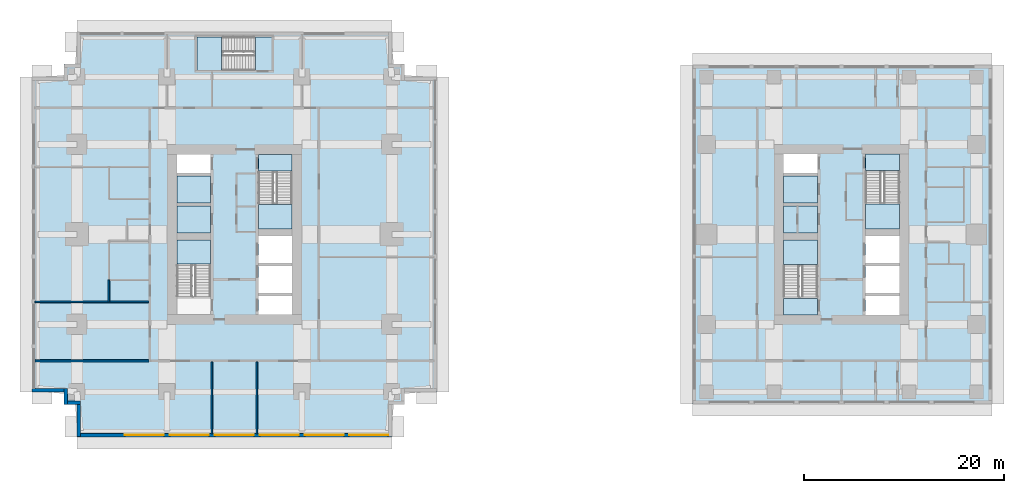
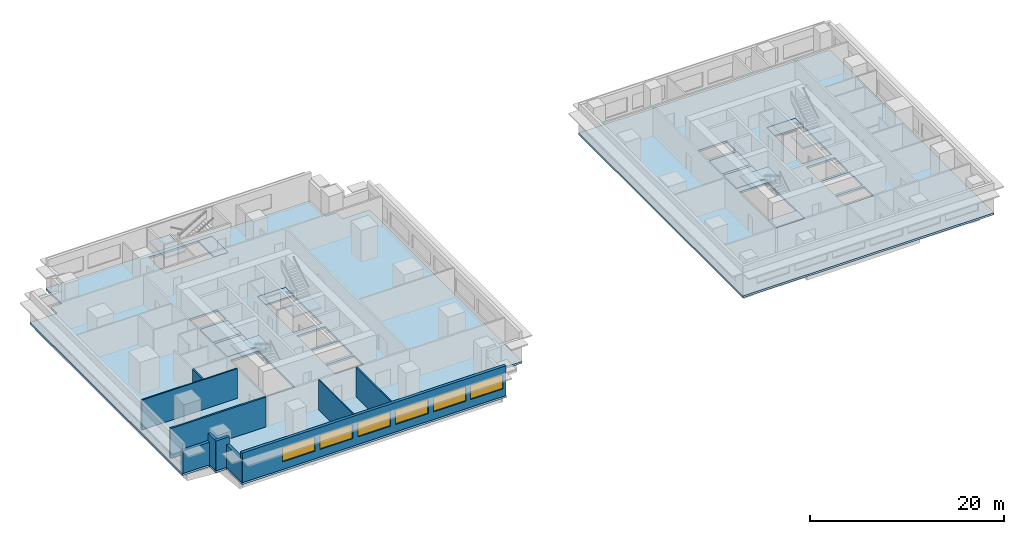
# One storey, part 2 of 11: 15 slabs, 10 walls, 6 windows, 6 openings, 5 elements without a shape of their own.
"""IFC4 building model written with IfcOpenShell, lengths in metres."""

from ifc_helpers import new_model, si_unit, direction, frame, frame_2d, origin, place, context, subcontext, project, spatial, polyline, rectangle, outline, extrude, material, layer, layer_set, type_object, element, fill, aggregate, save


model = new_model("IFC4")

# Units and contexts
model_context = context("Model", 3, precision=1e-05, world=origin(), true_north=direction((0.0, 1.0)))
body_context = subcontext(model_context, "Body", "Model", "MODEL_VIEW")
ifc_project = project(units=[si_unit("LENGTHUNIT", "METRE"), si_unit("AREAUNIT", "SQUARE_METRE"), si_unit("VOLUMEUNIT", "CUBIC_METRE"), si_unit("PLANEANGLEUNIT", "RADIAN"), si_unit("MASSUNIT", "GRAM", prefix="KILO")], contexts=[model_context])

# Site, building, storey
site_placement = place(None, origin())
site = spatial("IfcSite", under=ifc_project, at=site_placement, CompositionType="ELEMENT")
building_placement = place(site_placement, origin())
building = spatial("IfcBuilding", under=site, at=building_placement, Name="Namib Vertical Campus", CompositionType="ELEMENT")
storey_placement = place(building_placement, frame((0.0, 0.0, 193.0)))
storey = spatial("IfcBuildingStorey", under=building, at=storey_placement, Name="L45", CompositionType="ELEMENT", Elevation=193.0)

# Slabs
ifc_material_1 = material(Name="Concrete C40/50", Category="concrete")
ifc_layer_1 = layer(ifc_material_1, 0.25)
ifc_layer_set_1 = layer_set([ifc_layer_1], Name="Concrete C40/50")
slab_type_1 = type_object("IfcSlabType", Name="Floor slab 250", PredefinedType="FLOOR", material=ifc_layer_set_1)
slab_1_placement = place(storey_placement, frame((0.0, 0.0, -0.25)))
element("IfcSlab", 1, at=slab_1_placement, inside=storey, type_object=slab_type_1, Name="Floor slab A L45", PredefinedType="FLOOR", context=body_context, shape_type="SweptSolid", body=[
    extrude(outline(polyline([(4.5, 0.0), (36.0, 0.0), (36.0, 3.22509765625), (37.27490234375, 3.22509765625), (37.27490234375, 4.5), (40.5, 4.5), (40.5, 36.0), (37.27490234375, 36.0), (37.27490234375, 37.27490234375), (36.0, 37.27490234375), (36.0, 40.5), (4.5, 40.5), (4.5, 37.27490234375), (3.22509765625, 37.27490234375), (3.22509765625, 36.0), (0.0, 36.0), (0.0, 4.5), (3.22509765625, 4.5), (3.22509765625, 3.22509765625), (4.5, 3.22509765625), (4.5, 0.0)]), holes=[polyline([(14.5, 12.25), (17.85009765625, 12.25), (17.85009765625, 19.699951171875), (14.5, 19.699951171875), (14.5, 12.25)]), polyline([(22.64990234375, 20.800048828125), (26.0, 20.800048828125), (26.0, 28.25), (22.64990234375, 28.25), (22.64990234375, 20.800048828125)]), polyline([(22.64990234375, 12.25), (26.0, 12.25), (26.0, 14.10009765625), (22.64990234375, 14.10009765625), (22.64990234375, 12.25)]), polyline([(14.5, 20.39990234375), (17.85009765625, 20.39990234375), (17.85009765625, 23.10009765625), (14.5, 23.10009765625), (14.5, 20.39990234375)]), polyline([(14.5, 23.39990234375), (17.85009765625, 23.39990234375), (17.85009765625, 26.10009765625), (14.5, 26.10009765625), (14.5, 23.39990234375)]), polyline([(14.5, 26.39990234375), (17.85009765625, 26.39990234375), (17.85009765625, 28.25), (14.5, 28.25), (14.5, 26.39990234375)]), polyline([(22.64990234375, 14.39990234375), (26.0, 14.39990234375), (26.0, 17.10009765625), (22.64990234375, 17.10009765625), (22.64990234375, 14.39990234375)]), polyline([(22.64990234375, 17.39990234375), (26.0, 17.39990234375), (26.0, 20.10009765625), (22.64990234375, 20.10009765625), (22.64990234375, 17.39990234375)]), polyline([(16.5, 36.64990234375), (24.0, 36.64990234375), (24.0, 40.0), (16.5, 40.0), (16.5, 36.64990234375)])]), origin(), (0.0, 0.0, 1.0), 0.25),
])
slab_2_placement = place(storey_placement, frame((0.0, 0.0, -0.25)))
element("IfcSlab", 2, at=slab_2_placement, inside=storey, type_object=slab_type_1, Name="Floor slab B L45", PredefinedType="FLOOR", context=body_context, shape_type="SweptSolid", body=[
    extrude(outline(polyline([(66.10009765625, 3.300048828125), (96.050048828125, 3.300048828125), (96.050048828125, 37.199951171875), (66.10009765625, 37.199951171875), (66.10009765625, 3.300048828125)]), holes=[polyline([(75.199951171875, 12.199951171875), (78.60009765625, 12.199951171875), (78.60009765625, 19.699951171875), (75.199951171875, 19.699951171875), (75.199951171875, 12.199951171875)]), polyline([(83.39990234375, 20.800048828125), (86.800048828125, 20.800048828125), (86.800048828125, 28.300048828125), (83.39990234375, 28.300048828125), (83.39990234375, 20.800048828125)]), polyline([(83.39990234375, 12.199951171875), (86.800048828125, 12.199951171875), (86.800048828125, 14.10009765625), (83.39990234375, 14.10009765625), (83.39990234375, 12.199951171875)]), polyline([(75.199951171875, 20.39990234375), (78.60009765625, 20.39990234375), (78.60009765625, 23.10009765625), (75.199951171875, 23.10009765625), (75.199951171875, 20.39990234375)]), polyline([(75.199951171875, 23.39990234375), (78.60009765625, 23.39990234375), (78.60009765625, 26.10009765625), (75.199951171875, 26.10009765625), (75.199951171875, 23.39990234375)]), polyline([(75.199951171875, 26.39990234375), (78.60009765625, 26.39990234375), (78.60009765625, 28.300048828125), (75.199951171875, 28.300048828125), (75.199951171875, 26.39990234375)]), polyline([(83.39990234375, 14.39990234375), (86.800048828125, 14.39990234375), (86.800048828125, 17.10009765625), (83.39990234375, 17.10009765625), (83.39990234375, 14.39990234375)]), polyline([(83.39990234375, 17.39990234375), (86.800048828125, 17.39990234375), (86.800048828125, 20.10009765625), (83.39990234375, 20.10009765625), (83.39990234375, 17.39990234375)])]), origin(), (0.0, 0.0, 1.0), 0.25),
])
ifc_material_2 = material(Name="Concrete C40/50 precast", Category="concrete")
ifc_layer_2 = layer(ifc_material_2, 0.25)
ifc_layer_set_2 = layer_set([ifc_layer_2], Name="Concrete C40/50 precast")
slab_type_2 = type_object("IfcSlabType", Name="Shaft infill floor 250", PredefinedType="FLOOR", material=ifc_layer_set_2)
slab_3_placement = place(storey_placement, frame((0.0, 0.0, -0.25)))
element("IfcSlab", 3, at=slab_3_placement, inside=storey, type_object=slab_type_2, Name="Shaft infill floor A L45 P1", PredefinedType="FLOOR", context=body_context, shape_type="SweptSolid", body=[
    extrude(outline(polyline([(14.5, 20.39990234375), (17.85009765625, 20.39990234375), (17.85009765625, 23.10009765625), (14.5, 23.10009765625), (14.5, 20.39990234375)])), origin(), (0.0, 0.0, 1.0), 0.25),
])
slab_4_placement = place(storey_placement, frame((0.0, 0.0, -0.25)))
element("IfcSlab", 4, at=slab_4_placement, inside=storey, type_object=slab_type_2, Name="Shaft infill floor A L45 P2", PredefinedType="FLOOR", context=body_context, shape_type="SweptSolid", body=[
    extrude(outline(polyline([(14.5, 23.39990234375), (17.85009765625, 23.39990234375), (17.85009765625, 26.10009765625), (14.5, 26.10009765625), (14.5, 23.39990234375)])), origin(), (0.0, 0.0, 1.0), 0.25),
])
slab_5_placement = place(storey_placement, frame((0.0, 0.0, -0.25)))
element("IfcSlab", 5, at=slab_5_placement, inside=storey, type_object=slab_type_2, Name="Shaft infill floor B L45 P1", PredefinedType="FLOOR", context=body_context, shape_type="SweptSolid", body=[
    extrude(outline(polyline([(75.199951171875, 20.39990234375), (78.60009765625, 20.39990234375), (78.60009765625, 23.10009765625), (75.199951171875, 23.10009765625), (75.199951171875, 20.39990234375)])), origin(), (0.0, 0.0, 1.0), 0.25),
])
slab_6_placement = place(storey_placement, frame((0.0, 0.0, -0.25)))
element("IfcSlab", 6, at=slab_6_placement, inside=storey, type_object=slab_type_2, Name="Shaft infill floor B L45 P2", PredefinedType="FLOOR", context=body_context, shape_type="SweptSolid", body=[
    extrude(outline(polyline([(75.199951171875, 23.39990234375), (78.60009765625, 23.39990234375), (78.60009765625, 26.10009765625), (75.199951171875, 26.10009765625), (75.199951171875, 23.39990234375)])), origin(), (0.0, 0.0, 1.0), 0.25),
])

# Stair, slab
ifc_material_3 = material(Name="Concrete C40/50 precast", Category="concrete")
stair_type_1 = type_object("IfcStairType", Name="Exit stair 4000 rise 24 risers 3350 wide", PredefinedType="HALF_TURN_STAIR", material=ifc_material_3)
stair_1_placement = place(storey_placement, origin())
stair_1 = element("IfcStair", 7, at=stair_1_placement, inside=storey, type_object=stair_type_1, Name="Exit stair A-S1 L45", PredefinedType="HALF_TURN_STAIR")
ifc_material_4 = material(Name="Concrete C40/50", Category="concrete")
ifc_layer_3 = layer(ifc_material_4, 0.199951171875)
ifc_layer_set_3 = layer_set([ifc_layer_3], Name="Concrete C40/50")
slab_type_3 = type_object("IfcSlabType", Name="Stair landing 200", PredefinedType="LANDING", material=ifc_layer_set_3)
slab_7_placement = place(storey_placement, frame((0.0, 0.0, 1.800048828125)))
slab_7 = element("IfcSlab", 8, at=slab_7_placement, type_object=slab_type_3, Name="A-S1 landing 2", PredefinedType="LANDING", context=body_context, shape_type="SweptSolid", body=[
    extrude(outline(polyline([(14.5, 17.276123046875), (17.85009765625, 17.276123046875), (17.85009765625, 19.699951171875), (14.5, 19.699951171875), (14.5, 17.276123046875)])), origin(), (0.0, 0.0, 1.0), 0.199951171875),
])
aggregate(stair_1, [slab_7])

# Stair, slabs
stair_2_placement = place(storey_placement, origin())
stair_2 = element("IfcStair", 9, at=stair_2_placement, inside=storey, type_object=stair_type_1, Name="Exit stair A-S2 L45", PredefinedType="HALF_TURN_STAIR")
slab_8_placement = place(storey_placement, frame((0.0, 0.0, -0.199951171875)))
slab_8 = element("IfcSlab", 10, at=slab_8_placement, type_object=slab_type_3, Name="A-S2 landing 1", PredefinedType="LANDING", context=body_context, shape_type="SweptSolid", body=[
    extrude(outline(polyline([(22.64990234375, 26.59619140625), (26.0, 26.59619140625), (26.0, 28.25), (22.64990234375, 28.25), (22.64990234375, 26.59619140625)])), origin(), (0.0, 0.0, 1.0), 0.199951171875),
])
slab_9_placement = place(storey_placement, frame((0.0, 0.0, 1.800048828125)))
slab_9 = element("IfcSlab", 11, at=slab_9_placement, type_object=slab_type_3, Name="A-S2 landing 2", PredefinedType="LANDING", context=body_context, shape_type="SweptSolid", body=[
    extrude(outline(polyline([(22.64990234375, 20.800048828125), (26.0, 20.800048828125), (26.0, 23.223876953125), (22.64990234375, 23.223876953125), (22.64990234375, 20.800048828125)])), origin(), (0.0, 0.0, 1.0), 0.199951171875),
])
aggregate(stair_2, [slab_8, slab_9])

ifc_material_5 = material(Name="Concrete C40/50 precast", Category="concrete")
stair_type_2 = type_object("IfcStairType", Name="Exit stair 4000 rise 24 risers 3400 wide", PredefinedType="HALF_TURN_STAIR", material=ifc_material_5)
stair_3_placement = place(storey_placement, origin())
stair_3 = element("IfcStair", 12, at=stair_3_placement, inside=storey, type_object=stair_type_2, Name="Exit stair B-S1 L45", PredefinedType="HALF_TURN_STAIR")
slab_10_placement = place(storey_placement, frame((0.0, 0.0, -0.199951171875)))
slab_10 = element("IfcSlab", 13, at=slab_10_placement, type_object=slab_type_3, Name="B-S1 landing 1", PredefinedType="LANDING", context=body_context, shape_type="SweptSolid", body=[
    extrude(outline(polyline([(75.199951171875, 12.199951171875), (78.60009765625, 12.199951171875), (78.60009765625, 13.85400390625), (75.199951171875, 13.85400390625), (75.199951171875, 12.199951171875)])), origin(), (0.0, 0.0, 1.0), 0.199951171875),
])
slab_11_placement = place(storey_placement, frame((0.0, 0.0, 1.800048828125)))
slab_11 = element("IfcSlab", 14, at=slab_11_placement, type_object=slab_type_3, Name="B-S1 landing 2", PredefinedType="LANDING", context=body_context, shape_type="SweptSolid", body=[
    extrude(outline(polyline([(75.199951171875, 17.22607421875), (78.60009765625, 17.22607421875), (78.60009765625, 19.699951171875), (75.199951171875, 19.699951171875), (75.199951171875, 17.22607421875)])), origin(), (0.0, 0.0, 1.0), 0.199951171875),
])
aggregate(stair_3, [slab_10, slab_11])

stair_4_placement = place(storey_placement, origin())
stair_4 = element("IfcStair", 15, at=stair_4_placement, inside=storey, type_object=stair_type_2, Name="Exit stair B-S2 L45", PredefinedType="HALF_TURN_STAIR")
slab_12_placement = place(storey_placement, frame((0.0, 0.0, -0.199951171875)))
slab_12 = element("IfcSlab", 16, at=slab_12_placement, type_object=slab_type_3, Name="B-S2 landing 1", PredefinedType="LANDING", context=body_context, shape_type="SweptSolid", body=[
    extrude(outline(polyline([(83.39990234375, 26.64599609375), (86.800048828125, 26.64599609375), (86.800048828125, 28.300048828125), (83.39990234375, 28.300048828125), (83.39990234375, 26.64599609375)])), origin(), (0.0, 0.0, 1.0), 0.199951171875),
])
slab_13_placement = place(storey_placement, frame((0.0, 0.0, 1.800048828125)))
slab_13 = element("IfcSlab", 17, at=slab_13_placement, type_object=slab_type_3, Name="B-S2 landing 2", PredefinedType="LANDING", context=body_context, shape_type="SweptSolid", body=[
    extrude(outline(polyline([(83.39990234375, 20.800048828125), (86.800048828125, 20.800048828125), (86.800048828125, 23.27392578125), (83.39990234375, 23.27392578125), (83.39990234375, 20.800048828125)])), origin(), (0.0, 0.0, 1.0), 0.199951171875),
])
aggregate(stair_4, [slab_12, slab_13])

stair_5_placement = place(storey_placement, origin())
stair_5 = element("IfcStair", 18, at=stair_5_placement, inside=storey, type_object=stair_type_1, Name="Exit stair A-S3 L45", PredefinedType="HALF_TURN_STAIR")
slab_14_placement = place(storey_placement, frame((0.0, 0.0, -0.199951171875)))
slab_14 = element("IfcSlab", 19, at=slab_14_placement, type_object=slab_type_3, Name="A-S3 landing 1", PredefinedType="LANDING", context=body_context, shape_type="SweptSolid", body=[
    extrude(outline(polyline([(22.34619140625, 36.64990234375), (22.34619140625, 40.0), (24.0, 40.0), (24.0, 36.64990234375), (22.34619140625, 36.64990234375)])), origin(), (0.0, 0.0, 1.0), 0.199951171875),
])
slab_15_placement = place(storey_placement, frame((0.0, 0.0, 1.800048828125)))
slab_15 = element("IfcSlab", 20, at=slab_15_placement, type_object=slab_type_3, Name="A-S3 landing 2", PredefinedType="LANDING", context=body_context, shape_type="SweptSolid", body=[
    extrude(outline(polyline([(16.5, 36.64990234375), (16.5, 40.0), (18.973876953125, 40.0), (18.973876953125, 36.64990234375), (16.5, 36.64990234375)])), origin(), (0.0, 0.0, 1.0), 0.199951171875),
])
aggregate(stair_5, [slab_14, slab_15])

# Wall
ifc_material_6 = material(Name="Concrete masonry", Category="masonry")
ifc_layer_4 = layer(ifc_material_6, 0.199951171875)
ifc_layer_set_4 = layer_set([ifc_layer_4], Name="Corridor wall 200")
wall_type_1 = type_object("IfcWallType", Name="Corridor wall 200", PredefinedType="SOLIDWALL", material=ifc_layer_set_4)
wall_1_placement = place(storey_placement, frame((0.300048828125, 7.60009765625, 0.0), z_axis=(0.0, 0.0, 1.0), x_axis=(1.0, 0.0, 0.0)))
element("IfcWall", 21, at=wall_1_placement, inside=storey, type_object=wall_type_1, Name="Partition A L45 BSW", PredefinedType="SOLIDWALL", context=body_context, shape_type="SweptSolid", body=[
    extrude(rectangle(XDim=11.39990234375, YDim=0.199951171875, at=frame_2d((5.699951171875, 0.0))), origin(), (0.0, 0.0, 1.0), 3.75),
])

# Wall, openings, windows
ifc_material_7 = material(Name="Concrete C40/50", Category="concrete")
ifc_layer_5 = layer(ifc_material_7, 0.35009765625)
ifc_layer_set_5 = layer_set([ifc_layer_5], Name="Concrete C40/50")
wall_type_2 = type_object("IfcWallType", Name="External wall 350 bush-hammered concrete", PredefinedType="STANDARD", material=ifc_layer_set_5)
wall_2_placement = place(storey_placement, frame((4.52001953125, 0.175048828125, 0.0), z_axis=(0.0, 0.0, 1.0), x_axis=(1.0, 0.0, 0.0)))
wall_2 = element("IfcWall", 22, at=wall_2_placement, inside=storey, type_object=wall_type_2, Name="External wall L45 F01", PredefinedType="STANDARD", context=body_context, shape_type="SweptSolid", body=[
    extrude(rectangle(XDim=31.4599609375, YDim=0.35009765625, at=frame_2d((15.72998046875, 0.0))), origin(), (0.0, 0.0, 1.0), 3.75),
])
opening_1_placement = place(wall_2_placement, frame((4.780029296875, 0.0, 0.949951171875)))
opening_1 = element("IfcOpeningElement", 23, at=opening_1_placement, cuts=wall_2, Name="Opening W3", PredefinedType="OPENING", context=body_context, shape_type="SweptSolid", body=[
    extrude(rectangle(XDim=3.89990234375, YDim=1.800048828125, at=frame_2d((1.949951171875, 0.89990234375))), frame((0.0, 0.18505859375, 0.0), z_axis=(0.0, -1.0, 0.0), x_axis=(1.0, 0.0, 0.0)), (0.0, 0.0, 1.0), 0.3701171875),
])
opening_2_placement = place(wall_2_placement, frame((9.280029296875, 0.0, 0.949951171875)))
opening_2 = element("IfcOpeningElement", 24, at=opening_2_placement, cuts=wall_2, Name="Opening W3", PredefinedType="OPENING", context=body_context, shape_type="SweptSolid", body=[
    extrude(rectangle(XDim=3.89990234375, YDim=1.800048828125, at=frame_2d((1.949951171875, 0.89990234375))), frame((0.0, 0.18505859375, 0.0), z_axis=(0.0, -1.0, 0.0), x_axis=(1.0, 0.0, 0.0)), (0.0, 0.0, 1.0), 0.3701171875),
])
opening_3_placement = place(wall_2_placement, frame((13.780029296875, 0.0, 0.949951171875)))
opening_3 = element("IfcOpeningElement", 25, at=opening_3_placement, cuts=wall_2, Name="Opening W3", PredefinedType="OPENING", context=body_context, shape_type="SweptSolid", body=[
    extrude(rectangle(XDim=3.89990234375, YDim=1.800048828125, at=frame_2d((1.949951171875, 0.89990234375))), frame((0.0, 0.18505859375, 0.0), z_axis=(0.0, -1.0, 0.0), x_axis=(1.0, 0.0, 0.0)), (0.0, 0.0, 1.0), 0.3701171875),
])
opening_4_placement = place(wall_2_placement, frame((18.280029296875, 0.0, 0.949951171875)))
opening_4 = element("IfcOpeningElement", 26, at=opening_4_placement, cuts=wall_2, Name="Opening W3", PredefinedType="OPENING", context=body_context, shape_type="SweptSolid", body=[
    extrude(rectangle(XDim=3.89990234375, YDim=1.800048828125, at=frame_2d((1.949951171875, 0.89990234375))), frame((0.0, 0.18505859375, 0.0), z_axis=(0.0, -1.0, 0.0), x_axis=(1.0, 0.0, 0.0)), (0.0, 0.0, 1.0), 0.3701171875),
])
opening_5_placement = place(wall_2_placement, frame((22.780029296875, 0.0, 0.949951171875)))
opening_5 = element("IfcOpeningElement", 27, at=opening_5_placement, cuts=wall_2, Name="Opening W3", PredefinedType="OPENING", context=body_context, shape_type="SweptSolid", body=[
    extrude(rectangle(XDim=3.89990234375, YDim=1.800048828125, at=frame_2d((1.949951171875, 0.89990234375))), frame((0.0, 0.18505859375, 0.0), z_axis=(0.0, -1.0, 0.0), x_axis=(1.0, 0.0, 0.0)), (0.0, 0.0, 1.0), 0.3701171875),
])
opening_6_placement = place(wall_2_placement, frame((27.2099609375, 0.0, 0.949951171875)))
opening_6 = element("IfcOpeningElement", 28, at=opening_6_placement, cuts=wall_2, Name="Opening W3", PredefinedType="OPENING", context=body_context, shape_type="SweptSolid", body=[
    extrude(rectangle(XDim=3.89990234375, YDim=1.800048828125, at=frame_2d((1.949951171875, 0.89990234375))), frame((0.0, 0.18505859375, 0.0), z_axis=(0.0, -1.0, 0.0), x_axis=(1.0, 0.0, 0.0)), (0.0, 0.0, 1.0), 0.3701171875),
])
ifc_material_8 = material(Name="Dark tinted glass in black aluminium frame", Category="aluminium")
window_type = type_object("IfcWindowType", Name="Ribbon window 3900x1800", PartitioningType="SINGLE_PANEL", PredefinedType="WINDOW", material=ifc_material_8)
window_1_placement = place(opening_1_placement, origin())
window_1 = element("IfcWindow", 29, at=window_1_placement, inside=storey, type_object=window_type, Name="Window W3 L45 F01-2", OverallHeight=1.800048828125, OverallWidth=3.89990234375, PartitioningType="SINGLE_PANEL", PredefinedType="WINDOW", context=body_context, shape_type="SweptSolid", body=[
    extrude(rectangle(XDim=3.89990234375, YDim=1.800048828125, at=frame_2d((1.949951171875, 0.89990234375))), frame((0.0, 0.030029296875, 0.0), z_axis=(0.0, -1.0, 0.0), x_axis=(1.0, 0.0, 0.0)), (0.0, 0.0, 1.0), 0.06005859375),
])
fill(opening_1, window_1)
window_2_placement = place(opening_2_placement, origin())
window_2 = element("IfcWindow", 30, at=window_2_placement, inside=storey, type_object=window_type, Name="Window W3 L45 F01-3", OverallHeight=1.800048828125, OverallWidth=3.89990234375, PartitioningType="SINGLE_PANEL", PredefinedType="WINDOW", context=body_context, shape_type="SweptSolid", body=[
    extrude(rectangle(XDim=3.89990234375, YDim=1.800048828125, at=frame_2d((1.949951171875, 0.89990234375))), frame((0.0, 0.030029296875, 0.0), z_axis=(0.0, -1.0, 0.0), x_axis=(1.0, 0.0, 0.0)), (0.0, 0.0, 1.0), 0.06005859375),
])
fill(opening_2, window_2)
window_3_placement = place(opening_3_placement, origin())
window_3 = element("IfcWindow", 31, at=window_3_placement, inside=storey, type_object=window_type, Name="Window W3 L45 F01-4", OverallHeight=1.800048828125, OverallWidth=3.89990234375, PartitioningType="SINGLE_PANEL", PredefinedType="WINDOW", context=body_context, shape_type="SweptSolid", body=[
    extrude(rectangle(XDim=3.89990234375, YDim=1.800048828125, at=frame_2d((1.949951171875, 0.89990234375))), frame((0.0, 0.030029296875, 0.0), z_axis=(0.0, -1.0, 0.0), x_axis=(1.0, 0.0, 0.0)), (0.0, 0.0, 1.0), 0.06005859375),
])
fill(opening_3, window_3)
window_4_placement = place(opening_4_placement, origin())
window_4 = element("IfcWindow", 32, at=window_4_placement, inside=storey, type_object=window_type, Name="Window W3 L45 F01-5", OverallHeight=1.800048828125, OverallWidth=3.89990234375, PartitioningType="SINGLE_PANEL", PredefinedType="WINDOW", context=body_context, shape_type="SweptSolid", body=[
    extrude(rectangle(XDim=3.89990234375, YDim=1.800048828125, at=frame_2d((1.949951171875, 0.89990234375))), frame((0.0, 0.030029296875, 0.0), z_axis=(0.0, -1.0, 0.0), x_axis=(1.0, 0.0, 0.0)), (0.0, 0.0, 1.0), 0.06005859375),
])
fill(opening_4, window_4)
window_5_placement = place(opening_5_placement, origin())
window_5 = element("IfcWindow", 33, at=window_5_placement, inside=storey, type_object=window_type, Name="Window W3 L45 F01-6", OverallHeight=1.800048828125, OverallWidth=3.89990234375, PartitioningType="SINGLE_PANEL", PredefinedType="WINDOW", context=body_context, shape_type="SweptSolid", body=[
    extrude(rectangle(XDim=3.89990234375, YDim=1.800048828125, at=frame_2d((1.949951171875, 0.89990234375))), frame((0.0, 0.030029296875, 0.0), z_axis=(0.0, -1.0, 0.0), x_axis=(1.0, 0.0, 0.0)), (0.0, 0.0, 1.0), 0.06005859375),
])
fill(opening_5, window_5)
window_6_placement = place(opening_6_placement, origin())
window_6 = element("IfcWindow", 34, at=window_6_placement, inside=storey, type_object=window_type, Name="Window W3 L45 F01-7", OverallHeight=1.800048828125, OverallWidth=3.89990234375, PartitioningType="SINGLE_PANEL", PredefinedType="WINDOW", context=body_context, shape_type="SweptSolid", body=[
    extrude(rectangle(XDim=3.89990234375, YDim=1.800048828125, at=frame_2d((1.949951171875, 0.89990234375))), frame((0.0, 0.030029296875, 0.0), z_axis=(0.0, -1.0, 0.0), x_axis=(1.0, 0.0, 0.0)), (0.0, 0.0, 1.0), 0.06005859375),
])
fill(opening_6, window_6)

# Walls
wall_3_placement = place(storey_placement, frame((0.02001953125, 4.675048828125, 0.0), z_axis=(0.0, 0.0, 1.0), x_axis=(1.0, 0.0, 0.0)))
element("IfcWall", 35, at=wall_3_placement, inside=storey, type_object=wall_type_2, Name="External wall L45 F17", PredefinedType="STANDARD", context=body_context, shape_type="SweptSolid", body=[
    extrude(rectangle(XDim=3.534912109375, YDim=0.35009765625, at=frame_2d((1.767578125, 0.0))), origin(), (0.0, 0.0, 1.0), 2.85009765625),
])
for number, where, z_axis, x_axis, name in (
    (36, (3.39990234375, 4.830078125, 0.0), (0.0, 0.0, 1.0), (0.0, -1.0, 0.0), "External wall L45 F18"),
    (37, (3.2451171875, 3.39990234375, 0.0), (0.0, 0.0, 1.0), (1.0, 0.0, 0.0), "External wall L45 F19"),
):
    element("IfcWall", number, at=place(storey_placement, frame(where, z_axis=z_axis, x_axis=x_axis)), inside=storey, type_object=wall_type_2, Name=name, PredefinedType="STANDARD", context=body_context, shape_type="SweptSolid", body=[
        extrude(rectangle(XDim=1.5849609375, YDim=0.35009765625, at=frame_2d((0.79248046875, 0.0))), origin(), (0.0, 0.0, 1.0), 3.75),
    ])
wall_4_placement = place(storey_placement, frame((4.675048828125, 3.554931640625, 0.0), z_axis=(0.0, 0.0, 1.0), x_axis=(0.0, -1.0, 0.0)))
element("IfcWall", 38, at=wall_4_placement, inside=storey, type_object=wall_type_2, Name="External wall L45 F20", PredefinedType="STANDARD", context=body_context, shape_type="SweptSolid", body=[
    extrude(rectangle(XDim=3.534912109375, YDim=0.35009765625, at=frame_2d((1.767578125, 0.0))), origin(), (0.0, 0.0, 1.0), 2.85009765625),
])
ifc_material_9 = material(Name="Gypsum board on steel studs", Category="steel")
ifc_layer_6 = layer(ifc_material_9, 0.14990234375)
ifc_layer_set_6 = layer_set([ifc_layer_6], Name="Gypsum board on steel studs")
wall_type_3 = type_object("IfcWallType", Name="Partition 150", PredefinedType="PARTITIONING", material=ifc_layer_set_6)
for number, where, z_axis, x_axis, name in (
    (39, (18.0, 0.300048828125, 0.0), (0.0, 0.0, 1.0), (0.0, 1.0, 0.0), "Partition A L45 PS1"),
    (40, (22.5, 0.300048828125, 0.0), (0.0, 0.0, 1.0), (0.0, 1.0, 0.0), "Partition A L45 PS2"),
):
    element("IfcWall", number, at=place(storey_placement, frame(where, z_axis=z_axis, x_axis=x_axis)), inside=storey, type_object=wall_type_3, Name=name, PredefinedType="PARTITIONING", context=body_context, shape_type="SweptSolid", body=[
        extrude(rectangle(XDim=7.199951171875, YDim=0.14990234375, at=frame_2d((3.60009765625, 0.0))), origin(), (0.0, 0.0, 1.0), 3.75),
    ])
wall_5_placement = place(storey_placement, frame((0.300048828125, 13.5, 0.0), z_axis=(0.0, 0.0, 1.0), x_axis=(1.0, 0.0, 0.0)))
element("IfcWall", 41, at=wall_5_placement, inside=storey, type_object=wall_type_3, Name="Partition A L45 PW1", PredefinedType="PARTITIONING", context=body_context, shape_type="SweptSolid", body=[
    extrude(rectangle(XDim=11.39990234375, YDim=0.14990234375, at=frame_2d((5.699951171875, 0.0))), origin(), (0.0, 0.0, 1.0), 3.75),
])
wall_6_placement = place(storey_placement, frame((7.699951171875, 13.5, 0.0), z_axis=(0.0, 0.0, 1.0), x_axis=(0.0, 1.0, 0.0)))
element("IfcWall", 42, at=wall_6_placement, inside=storey, type_object=wall_type_3, Name="Partition A L45 WB1", PredefinedType="PARTITIONING", context=body_context, shape_type="SweptSolid", body=[
    extrude(rectangle(XDim=2.199951171875, YDim=0.14990234375, at=frame_2d((1.10009765625, 0.0))), origin(), (0.0, 0.0, 1.0), 3.75),
])

save(model, "model.ifc")
